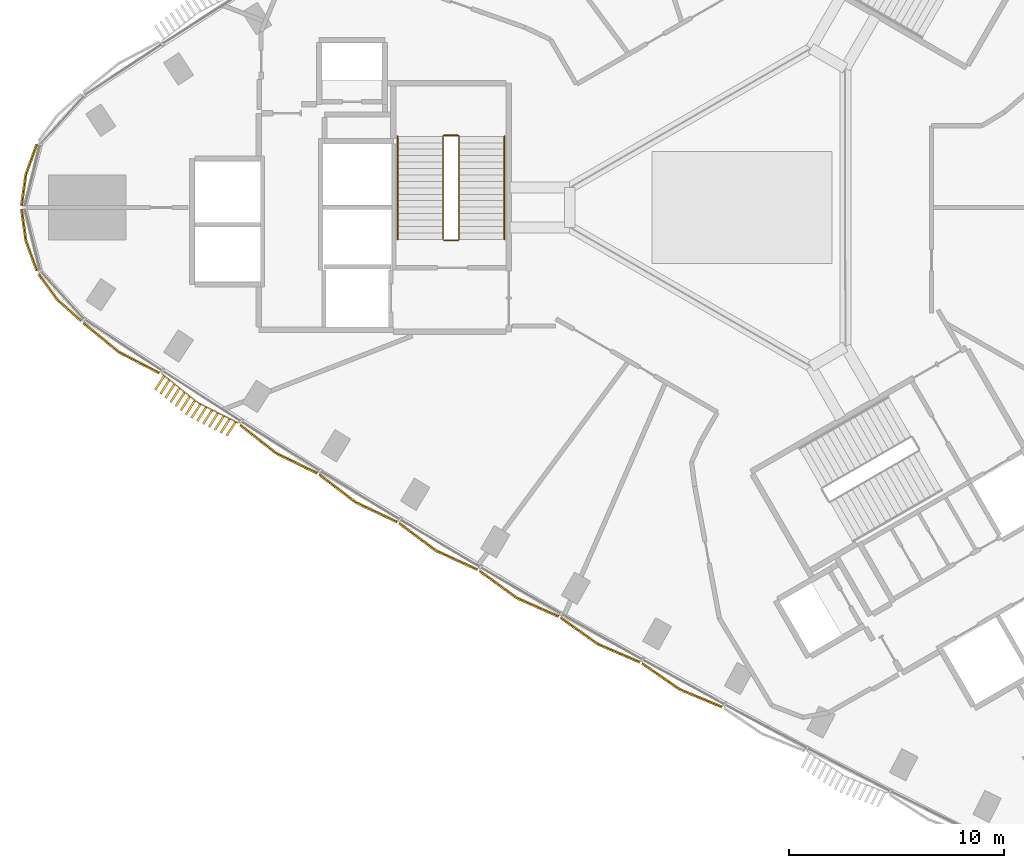
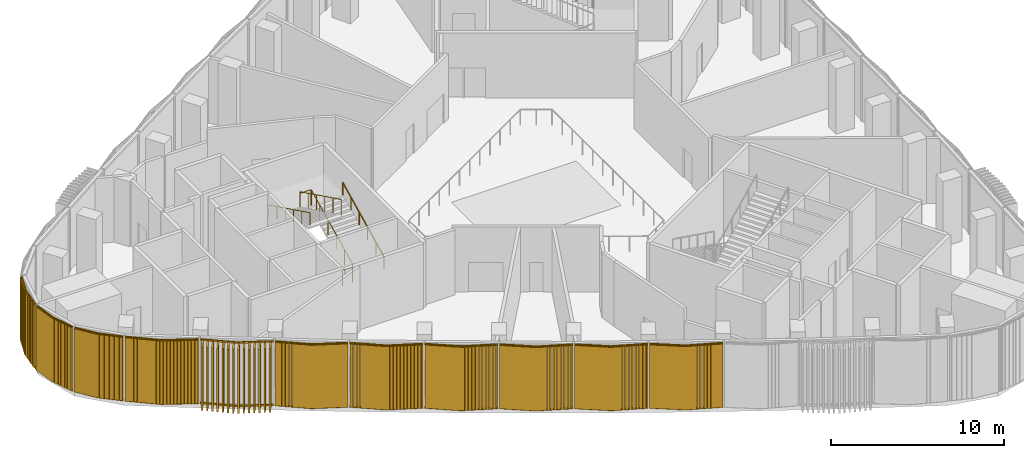
# One storey, part 12 of 17: 11 coverings, 3 railings.
"""IFC4 building model written with IfcOpenShell, lengths in metres."""

import ifcopenshell
import ifcopenshell.guid

model = None  # the IFC model being written
_history = None  # IfcOwnerHistory: only IFC2X3 demands one
_inside = {}  # id of a spatial element -> (the spatial element, [elements in it])
_under = {}  # id of a project, library or spatial element -> (it, [spatial elements below it])
_declared = {}  # id of a project -> (the project, [libraries it declares])
_typed = {}  # id of a type object -> (the type object, [elements of that type])
_made_of = {}  # id of a material, layer set ... -> (it, [elements and type objects made of it])


def new_model(schema):
    """Start an empty IFC model of exactly this schema.

    Asked for "IFC4X3", IfcOpenShell would pick the latest addendum, in which some entities
    have other attributes; the version numbers below select the first issue.
    IFC2X3 requires an IfcOwnerHistory on every rooted entity: one is made here for all.
    """
    global model, _history
    if schema == "IFC4X3":
        model = ifcopenshell.file(schema_version=(4, 3, 0, 0))
    else:
        model = ifcopenshell.file(schema=schema)
    _inside.clear()
    _under.clear()
    _declared.clear()
    _typed.clear()
    _made_of.clear()
    _history = None
    if model.schema == "IFC2X3":
        org = make("IfcOrganization", Name="unknown")
        user = make(
            "IfcPersonAndOrganization",
            ThePerson=make("IfcPerson", FamilyName="unknown"),
            TheOrganization=org,
        )
        app = make(
            "IfcApplication",
            ApplicationDeveloper=org,
            Version="unknown",
            ApplicationFullName="unknown",
            ApplicationIdentifier="unknown",
        )
        _history = make(
            "IfcOwnerHistory",
            OwningUser=user,
            OwningApplication=app,
            ChangeAction="ADDED",
            CreationDate=0,
        )
    return model


def make(cls, **values):
    """One entity of the class cls with the attributes given. An attribute that is None is left unset."""
    return model.create_entity(
        cls, **{name: value for name, value in values.items() if value is not None}
    )


def rooted(cls, **values):
    """An entity with a GlobalId (a new one), such as an element, a storey or a relation."""
    return make(cls, GlobalId=ifcopenshell.guid.new(), OwnerHistory=_history, **values)


def si_unit(unit_type, name, prefix=None):
    """IfcSIUnit, for example si_unit("LENGTHUNIT", "METRE", prefix="MILLI")."""
    return make("IfcSIUnit", UnitType=unit_type, Prefix=prefix, Name=name)


def assignment(units):
    """IfcUnitAssignment: the units of a project."""
    return None if units is None else make("IfcUnitAssignment", Units=units)


def point(xyz):
    """IfcCartesianPoint."""
    return None if xyz is None else make("IfcCartesianPoint", Coordinates=xyz)


def direction(xyz):
    """IfcDirection."""
    return None if xyz is None else make("IfcDirection", DirectionRatios=xyz)


def frame(location, z_axis=None, x_axis=None):
    """IfcAxis2Placement3D, a coordinate frame: its origin and axes. An axis left out is left unset."""
    return make(
        "IfcAxis2Placement3D",
        Location=point(location),
        Axis=direction(z_axis),
        RefDirection=direction(x_axis),
    )


def frame_2d(location, x_axis=None):
    """IfcAxis2Placement2D, a coordinate frame in the plane: its origin and x axis."""
    return make(
        "IfcAxis2Placement2D", Location=point(location), RefDirection=direction(x_axis)
    )


def origin():
    """The frame at (0, 0, 0) with its axes left unset."""
    return frame((0.0, 0.0, 0.0))


def origin_2d():
    """The frame at (0, 0) in the plane with its x axis left unset."""
    return frame_2d((0.0, 0.0))


def place(relative_to, where):
    """IfcLocalPlacement: puts the frame where relative to a parent placement (None: the world)."""
    return make(
        "IfcLocalPlacement", PlacementRelTo=relative_to, RelativePlacement=where
    )


def context(
    kind, dimensions, precision=None, world=None, true_north=None, identifier=None
):
    """IfcGeometricRepresentationContext, for example the 3D "Model" context."""
    return make(
        "IfcGeometricRepresentationContext",
        ContextIdentifier=identifier,
        ContextType=kind,
        CoordinateSpaceDimension=dimensions,
        Precision=precision,
        WorldCoordinateSystem=world,
        TrueNorth=true_north,
    )


def subcontext(parent, identifier, kind, view, scale=None):
    """IfcGeometricRepresentationSubContext, for example "Body" below "Model"."""
    return make(
        "IfcGeometricRepresentationSubContext",
        ContextIdentifier=identifier,
        ContextType=kind,
        ParentContext=parent,
        TargetScale=scale,
        TargetView=view,
    )


def project(units=None, contexts=None):
    """IfcProject with its units and contexts."""
    return rooted(
        "IfcProject",
        Name="project",
        RepresentationContexts=contexts,
        UnitsInContext=assignment(units),
    )


def spatial(cls, under=None, at=None, **own):
    """A site, building, storey or space (cls), placed at a placement, below another one or the project."""
    s = rooted(cls, ObjectPlacement=at, **own)
    if under is not None:
        _under.setdefault(under.id(), (under, []))[1].append(s)
    return s


def profile(cls, at=None, kind="AREA", **sizes):
    """A parametric profile (cls). Its sizes go by their IFC names, for example OverallWidth=200.0."""
    return make(cls, ProfileType=kind, Position=at, **sizes)


def rectangle(**sizes):
    """IfcRectangleProfileDef."""
    return profile("IfcRectangleProfileDef", **sizes)


def circle(**sizes):
    """IfcCircleProfileDef."""
    return profile("IfcCircleProfileDef", **sizes)


def extrude(swept, where, along, depth):
    """IfcExtrudedAreaSolid: the profile swept, set in the frame where, extruded along a direction by depth."""
    return make(
        "IfcExtrudedAreaSolid",
        SweptArea=swept,
        Position=where,
        ExtrudedDirection=direction(along),
        Depth=depth,
    )


def shape(context_of_items, identifier, shape_type, items):
    """IfcShapeRepresentation: the items that make up one representation, for example the "Body"."""
    return make(
        "IfcShapeRepresentation",
        ContextOfItems=context_of_items,
        RepresentationIdentifier=identifier,
        RepresentationType=shape_type,
        Items=items,
    )


def source(mapping_origin, context_of_items, identifier, shape_type, items):
    """IfcRepresentationMap: a shape defined once, which mapped items show again and again."""
    return make(
        "IfcRepresentationMap",
        MappingOrigin=mapping_origin,
        MappedRepresentation=shape(context_of_items, identifier, shape_type, items),
    )


def transform(
    local_origin,
    x_axis=None,
    y_axis=None,
    z_axis=None,
    scale=None,
    scale2=None,
    scale3=None,
    uniform=True,
):
    """IfcCartesianTransformationOperator3D, or its non-uniform kind. x_axis, y_axis, z_axis: its Axis1, 2, 3."""
    if uniform:
        return make(
            "IfcCartesianTransformationOperator3D",
            Axis1=direction(x_axis),
            Axis2=direction(y_axis),
            LocalOrigin=point(local_origin),
            Scale=scale,
            Axis3=direction(z_axis),
        )
    return make(
        "IfcCartesianTransformationOperator3DnonUniform",
        Axis1=direction(x_axis),
        Axis2=direction(y_axis),
        LocalOrigin=point(local_origin),
        Scale=scale,
        Axis3=direction(z_axis),
        Scale2=scale2,
        Scale3=scale3,
    )


def mapped(mapping_source, mapping_target):
    """IfcMappedItem: shows the shape of a source again, moved by a transform."""
    return make(
        "IfcMappedItem", MappingSource=mapping_source, MappingTarget=mapping_target
    )


def material(Name=None, Category=None):
    """IfcMaterial."""
    return make("IfcMaterial", Name=Name, Category=Category)


def made_of(thing, what):
    """Note that an element or type object is made of a material, layer set ...; save() writes the relation."""
    if what is not None:
        _made_of.setdefault(what.id(), (what, []))[1].append(thing)
    return thing


def type_object(cls, material=None, **own):
    """A type object (cls), such as IfcWallType, which elements share."""
    return made_of(rooted(cls, **own), material)


def element(
    cls,
    number,
    at=None,
    inside=None,
    cuts=None,
    type_object=None,
    material=None,
    context=None,
    identifier="Body",
    shape_type=None,
    held_by="IfcProductDefinitionShape",
    body=None,
    shapes=None,
    **own,
):
    """One element of the class cls, such as IfcWall. Its Tag is "e" and its number.

    at: its placement. inside: the storey or other place that contains it. cuts: it is an
    opening in that element (IfcRelVoidsElement). A single representation is given by context,
    identifier, shape_type and body (its items); several are given by shapes. held_by: the class
    of the entity that holds the representations. save() writes the other relations.
    """
    e = rooted(cls, Tag="e%d" % number, ObjectPlacement=at, **own)
    if body is not None:
        shapes = [shape(context, identifier, shape_type, body)]
    if shapes is not None:
        e.Representation = make(held_by, Representations=shapes)
    if inside is not None:
        _inside.setdefault(inside.id(), (inside, []))[1].append(e)
    if cuts is not None:
        rooted(
            "IfcRelVoidsElement", RelatingBuildingElement=cuts, RelatedOpeningElement=e
        )
    if type_object is not None:
        _typed.setdefault(type_object.id(), (type_object, []))[1].append(e)
    return made_of(e, material)


def aggregate(whole, parts):
    """IfcRelAggregates: a whole, such as a stair, and the parts it consists of."""
    return rooted("IfcRelAggregates", RelatingObject=whole, RelatedObjects=parts)


def save(model, path):
    """Write the relations noted so far, then the file.

    IfcRelAggregates (storeys below a building ...), IfcRelContainedInSpatialStructure (elements
    in a storey), IfcRelDefinesByType, IfcRelAssociatesMaterial and IfcRelDeclares: one each for
    every whole, place, type object, material and project.
    """
    for whole, parts in _under.values():
        aggregate(whole, parts)
    for where, things in _inside.values():
        rooted(
            "IfcRelContainedInSpatialStructure",
            RelatedElements=things,
            RelatingStructure=where,
        )
    for kind, things in _typed.values():
        rooted("IfcRelDefinesByType", RelatedObjects=things, RelatingType=kind)
    for what, things in _made_of.values():
        rooted("IfcRelAssociatesMaterial", RelatedObjects=things, RelatingMaterial=what)
    for by, libraries in _declared.values():
        rooted("IfcRelDeclares", RelatingContext=by, RelatedDefinitions=libraries)
    model.write(path)


model = new_model("IFC4")

# Units and contexts
model_context = context("Model", 3, precision=1e-05, world=origin(), true_north=direction((0.0, 1.0)))
body_context = subcontext(model_context, "Body", "Model", "MODEL_VIEW")
ifc_project = project(units=[si_unit("LENGTHUNIT", "METRE"), si_unit("AREAUNIT", "SQUARE_METRE"), si_unit("VOLUMEUNIT", "CUBIC_METRE"), si_unit("PLANEANGLEUNIT", "RADIAN"), si_unit("MASSUNIT", "GRAM", prefix="KILO")], contexts=[model_context])

# Site, building, storey
site_placement = place(None, origin())
site = spatial("IfcSite", under=ifc_project, at=site_placement, CompositionType="ELEMENT")
building_placement = place(site_placement, origin())
building = spatial("IfcBuilding", under=site, at=building_placement, Name="Tamra Quay Hotel Tower", CompositionType="ELEMENT")
storey_placement = place(building_placement, frame((0.0, 0.0, 123.800048828125)))
storey = spatial("IfcBuildingStorey", under=building, at=storey_placement, Name="L30", CompositionType="ELEMENT", Elevation=123.800048828125)

# Railings
ifc_material_1 = material(Name="Stair guard 1100")
railing_type_1 = type_object("IfcRailingType", Name="Stair guard 1100", PredefinedType="GUARDRAIL", material=ifc_material_1)
railing_1_placement = place(storey_placement, frame((-13.84130859375, -1.530029296875, 0.0)))
element("IfcRailing", 1, at=railing_1_placement, inside=storey, type_object=railing_type_1, Name="GR", PredefinedType="GUARDRAIL", context=body_context, shape_type="SweptSolid", body=[
    extrude(circle(Radius=0.02392578125, at=origin_2d()), frame((0.0, 0.0, 1.076171875), z_axis=(1.0, 0.0, 0.0), x_axis=(0.0, 1.0, 0.0)), (0.0, 0.0, 1.0), 0.658935546875),
    extrude(circle(Radius=0.02392578125, at=origin_2d()), frame((0.658935546875, 0.0, 1.076171875), z_axis=(0.306807167972, 0.306807167972, 0.900965439605), x_axis=(-0.707106781187, 0.707106781187, 0.0)), (0.0, 0.0, 1.0), 0.1630859375),
    extrude(circle(Radius=0.02392578125, at=origin_2d()), frame((0.708984375, 0.050048828125, 1.22314453125), z_axis=(0.0, 0.897329748911, 0.441360761419), x_axis=(-1.0, 0.0, 0.0)), (0.0, 0.0, 1.0), 5.331298828125),
    extrude(circle(Radius=0.02392578125, at=origin_2d()), frame((0.708984375, 4.833984375, 3.576171875), z_axis=(-0.707106781187, 0.707106781187, 0.0), x_axis=(-0.707106781187, -0.707106781187, 0.0)), (0.0, 0.0, 1.0), 0.07080078125),
    extrude(circle(Radius=0.02392578125, at=origin_2d()), frame((0.658935546875, 4.884033203125, 3.576171875), z_axis=(-1.0, 0.0, 0.0), x_axis=(0.0, -1.0, 0.0)), (0.0, 0.0, 1.0), 0.658935546875),
    extrude(circle(Radius=0.02392578125, at=origin_2d()), frame((0.0, 4.884033203125, 3.576171875), z_axis=(-0.306807167972, -0.306807167972, 0.900965439605), x_axis=(0.707106781187, -0.707106781187, 0.0)), (0.0, 0.0, 1.0), 0.1630859375),
    extrude(circle(Radius=0.02392578125, at=origin_2d()), frame((-0.050048828125, 4.833984375, 3.72314453125), z_axis=(0.0, -0.897329748911, 0.441360761419), x_axis=(1.0, 0.0, 0.0)), (0.0, 0.0, 1.0), 5.331298828125),
    extrude(circle(Radius=0.02099609375, at=origin_2d()), origin(), (0.0, 0.0, 1.0), 1.052001953125),
    extrude(circle(Radius=0.02099609375, at=origin_2d()), frame((0.658935546875, 0.0, 0.0)), (0.0, 0.0, 1.0), 1.052001953125),
    extrude(circle(Radius=0.02099609375, at=origin_2d()), frame((0.708984375, 0.050048828125, 0.14697265625)), (0.0, 0.0, 1.0), 1.052001953125),
    extrude(circle(Radius=0.02099609375, at=origin_2d()), frame((0.708984375, 1.0068359375, 0.61767578125)), (0.0, 0.0, 1.0), 1.052001953125),
    extrude(circle(Radius=0.02099609375, at=origin_2d()), frame((0.708984375, 1.963623046875, 1.088134765625)), (0.0, 0.0, 1.0), 1.052001953125),
    extrude(circle(Radius=0.02099609375, at=origin_2d()), frame((0.708984375, 2.92041015625, 1.558837890625)), (0.0, 0.0, 1.0), 1.052001953125),
    extrude(circle(Radius=0.02099609375, at=origin_2d()), frame((0.708984375, 3.877197265625, 2.029296875)), (0.0, 0.0, 1.0), 1.052001953125),
    extrude(circle(Radius=0.02099609375, at=origin_2d()), frame((0.708984375, 4.833984375, 2.5)), (0.0, 0.0, 1.0), 1.052001953125),
    extrude(circle(Radius=0.02099609375, at=origin_2d()), frame((0.658935546875, 4.884033203125, 2.5)), (0.0, 0.0, 1.0), 1.052001953125),
    extrude(circle(Radius=0.02099609375, at=origin_2d()), frame((0.0, 4.884033203125, 2.5)), (0.0, 0.0, 1.0), 1.052001953125),
    extrude(circle(Radius=0.02099609375, at=origin_2d()), frame((-0.050048828125, 4.833984375, 2.64697265625)), (0.0, 0.0, 1.0), 1.052001953125),
    extrude(circle(Radius=0.02099609375, at=origin_2d()), frame((-0.050048828125, 3.877197265625, 3.11767578125)), (0.0, 0.0, 1.0), 1.052001953125),
    extrude(circle(Radius=0.02099609375, at=origin_2d()), frame((-0.050048828125, 2.92041015625, 3.588134765625)), (0.0, 0.0, 1.0), 1.052001953125),
    extrude(circle(Radius=0.02099609375, at=origin_2d()), frame((-0.050048828125, 1.963623046875, 4.058837890625)), (0.0, 0.0, 1.0), 1.052001953125),
    extrude(circle(Radius=0.02099609375, at=origin_2d()), frame((-0.050048828125, 1.0068359375, 4.529296875)), (0.0, 0.0, 1.0), 1.052001953125),
    extrude(circle(Radius=0.02099609375, at=origin_2d()), frame((-0.050048828125, 0.050048828125, 5.0)), (0.0, 0.0, 1.0), 1.052001953125),
])
ifc_material_2 = material(Name="Stair handrail 900")
railing_type_2 = type_object("IfcRailingType", Name="Stair handrail 900", PredefinedType="HANDRAIL", material=ifc_material_2)
railing_2_placement = place(storey_placement, frame((-11.0322265625, -1.47998046875, 0.14697265625)))
element("IfcRailing", 2, at=railing_2_placement, inside=storey, type_object=railing_type_2, Name="HR", PredefinedType="HANDRAIL", context=body_context, shape_type="SweptSolid", body=[
    extrude(circle(Radius=0.02392578125, at=origin_2d()), frame((0.0, 0.0, 0.8759765625), z_axis=(0.0, 0.897329748911, 0.441360761419), x_axis=(-1.0, 0.0, 0.0)), (0.0, 0.0, 1.0), 5.331298828125),
    extrude(circle(Radius=0.02099609375, at=origin_2d()), origin(), (0.0, 0.0, 1.0), 0.851806640625),
    extrude(circle(Radius=0.02099609375, at=origin_2d()), frame((0.0, 0.956787109375, 0.470703125)), (0.0, 0.0, 1.0), 0.851806640625),
    extrude(circle(Radius=0.02099609375, at=origin_2d()), frame((0.0, 1.91357421875, 0.941162109375)), (0.0, 0.0, 1.0), 0.851806640625),
    extrude(circle(Radius=0.02099609375, at=origin_2d()), frame((0.0, 2.870361328125, 1.411865234375)), (0.0, 0.0, 1.0), 0.851806640625),
    extrude(circle(Radius=0.02099609375, at=origin_2d()), frame((0.0, 3.8271484375, 1.88232421875)), (0.0, 0.0, 1.0), 0.851806640625),
    extrude(circle(Radius=0.02099609375, at=origin_2d()), frame((0.0, 4.783935546875, 2.35302734375)), (0.0, 0.0, 1.0), 0.851806640625),
])
railing_3_placement = place(storey_placement, frame((-15.9912109375, 3.303955078125, 2.64697265625)))
element("IfcRailing", 3, at=railing_3_placement, inside=storey, type_object=railing_type_2, Name="HR", PredefinedType="HANDRAIL", context=body_context, shape_type="SweptSolid", body=[
    extrude(circle(Radius=0.02392578125, at=origin_2d()), frame((0.0, 0.0, 0.8759765625), z_axis=(0.0, -0.897329748911, 0.441360761419), x_axis=(1.0, 0.0, 0.0)), (0.0, 0.0, 1.0), 5.331298828125),
    extrude(circle(Radius=0.02099609375, at=origin_2d()), origin(), (0.0, 0.0, 1.0), 0.851806640625),
    extrude(circle(Radius=0.02099609375, at=origin_2d()), frame((0.0, -0.956787109375, 0.470703125)), (0.0, 0.0, 1.0), 0.851806640625),
    extrude(circle(Radius=0.02099609375, at=origin_2d()), frame((0.0, -1.91357421875, 0.941162109375)), (0.0, 0.0, 1.0), 0.851806640625),
    extrude(circle(Radius=0.02099609375, at=origin_2d()), frame((0.0, -2.870361328125, 1.411865234375)), (0.0, 0.0, 1.0), 0.851806640625),
    extrude(circle(Radius=0.02099609375, at=origin_2d()), frame((0.0, -3.8271484375, 1.88232421875)), (0.0, 0.0, 1.0), 0.851806640625),
    extrude(circle(Radius=0.02099609375, at=origin_2d()), frame((0.0, -4.783935546875, 2.35302734375)), (0.0, 0.0, 1.0), 0.851806640625),
])

# Coverings
ifc_material_3 = material(Name="Terracotta baguette extruded", Category="masonry")
covering_type_1 = type_object("IfcCoveringType", Name="BAGUETTE SCREEN CORNER-SHALLOW H4600", PredefinedType="USERDEFINED", material=ifc_material_3)
shared_shape_1 = source(origin(), body_context, "Body", "SweptSolid", [
    extrude(rectangle(XDim=1.480712890625, YDim=0.06005859375, at=frame_2d((0.740234375, 0.030029296875))), frame((-1.478759765625, -0.0576171875, -0.1201171875), z_axis=(0.0, 0.0, 1.0), x_axis=(0.994521895368, -0.104528463268, 0.0)), (0.0, 0.0, 1.0), 0.1201171875),
    extrude(rectangle(XDim=1.480712890625, YDim=0.06005859375, at=frame_2d((0.740234375, 0.030029296875))), frame((-1.478759765625, -0.0576171875, -4.60009765625), z_axis=(0.0, 0.0, 1.0), x_axis=(0.994521895368, -0.104528463268, 0.0)), (0.0, 0.0, 1.0), 0.1201171875),
    extrude(rectangle(XDim=0.094970703125, YDim=0.10009765625, at=frame_2d((0.04736328125, 0.050048828125))), frame((-1.470947265625, -0.133056640625, -4.5400390625)), (0.0, 0.0, 1.0), 4.47998046875),
    extrude(rectangle(XDim=0.094970703125, YDim=0.10009765625, at=frame_2d((0.04736328125, 0.050048828125))), frame((-1.372802734375, -0.1435546875, -4.5400390625)), (0.0, 0.0, 1.0), 4.47998046875),
    extrude(rectangle(XDim=0.094970703125, YDim=0.10009765625, at=frame_2d((0.04736328125, 0.050048828125))), frame((-1.274658203125, -0.15380859375, -4.5400390625)), (0.0, 0.0, 1.0), 4.47998046875),
    extrude(rectangle(XDim=0.094970703125, YDim=0.10009765625, at=frame_2d((0.04736328125, 0.050048828125))), frame((-1.176513671875, -0.1640625, -4.5400390625)), (0.0, 0.0, 1.0), 4.47998046875),
    extrude(rectangle(XDim=0.094970703125, YDim=0.10009765625, at=frame_2d((0.04736328125, 0.050048828125))), frame((-1.078369140625, -0.17431640625, -4.5400390625)), (0.0, 0.0, 1.0), 4.47998046875),
    extrude(rectangle(XDim=0.094970703125, YDim=0.10009765625, at=frame_2d((0.04736328125, 0.050048828125))), frame((-0.97998046875, -0.184814453125, -4.5400390625)), (0.0, 0.0, 1.0), 4.47998046875),
    extrude(rectangle(XDim=0.094970703125, YDim=0.10009765625, at=frame_2d((0.04736328125, 0.050048828125))), frame((-0.8818359375, -0.195068359375, -4.5400390625)), (0.0, 0.0, 1.0), 4.47998046875),
    extrude(rectangle(XDim=0.094970703125, YDim=0.10009765625, at=frame_2d((0.04736328125, 0.050048828125))), frame((-0.78369140625, -0.205322265625, -4.5400390625)), (0.0, 0.0, 1.0), 4.47998046875),
    extrude(rectangle(XDim=0.094970703125, YDim=0.10009765625, at=frame_2d((0.04736328125, 0.050048828125))), frame((-0.685546875, -0.2158203125, -4.5400390625)), (0.0, 0.0, 1.0), 4.47998046875),
    extrude(rectangle(XDim=0.094970703125, YDim=0.10009765625, at=frame_2d((0.04736328125, 0.050048828125))), frame((-0.58740234375, -0.22607421875, -4.5400390625)), (0.0, 0.0, 1.0), 4.47998046875),
    extrude(rectangle(XDim=0.094970703125, YDim=0.10009765625, at=frame_2d((0.04736328125, 0.050048828125))), frame((-0.4892578125, -0.236328125, -4.5400390625)), (0.0, 0.0, 1.0), 4.47998046875),
    extrude(rectangle(XDim=0.094970703125, YDim=0.10009765625, at=frame_2d((0.04736328125, 0.050048828125))), frame((-0.39111328125, -0.24658203125, -4.5400390625)), (0.0, 0.0, 1.0), 4.47998046875),
    extrude(rectangle(XDim=0.094970703125, YDim=0.10009765625, at=frame_2d((0.04736328125, 0.050048828125))), frame((-0.29296875, -0.257080078125, -4.5400390625)), (0.0, 0.0, 1.0), 4.47998046875),
    extrude(rectangle(XDim=0.094970703125, YDim=0.10009765625, at=frame_2d((0.04736328125, 0.050048828125))), frame((-0.19482421875, -0.267333984375, -4.5400390625)), (0.0, 0.0, 1.0), 4.47998046875),
    extrude(rectangle(XDim=0.094970703125, YDim=0.10009765625, at=frame_2d((0.04736328125, 0.050048828125))), frame((-0.0966796875, -0.277587890625, -4.5400390625)), (0.0, 0.0, 1.0), 4.47998046875),
    extrude(rectangle(XDim=1.480712890625, YDim=0.06005859375, at=frame_2d((0.740234375, 0.030029296875))), frame((0.00634765625, -0.21240234375, -0.1201171875), z_axis=(0.0, 0.0, 1.0), x_axis=(0.994521895368, 0.104528463268, 0.0)), (0.0, 0.0, 1.0), 0.1201171875),
    extrude(rectangle(XDim=1.480712890625, YDim=0.06005859375, at=frame_2d((0.740234375, 0.030029296875))), frame((0.00634765625, -0.21240234375, -4.60009765625), z_axis=(0.0, 0.0, 1.0), x_axis=(0.994521895368, 0.104528463268, 0.0)), (0.0, 0.0, 1.0), 0.1201171875),
    extrude(rectangle(XDim=0.094970703125, YDim=0.10009765625, at=frame_2d((0.04736328125, 0.050048828125))), frame((0.00146484375, -0.277587890625, -4.5400390625)), (0.0, 0.0, 1.0), 4.47998046875),
    extrude(rectangle(XDim=0.094970703125, YDim=0.10009765625, at=frame_2d((0.04736328125, 0.050048828125))), frame((0.099853515625, -0.267333984375, -4.5400390625)), (0.0, 0.0, 1.0), 4.47998046875),
    extrude(rectangle(XDim=0.094970703125, YDim=0.10009765625, at=frame_2d((0.04736328125, 0.050048828125))), frame((0.197998046875, -0.257080078125, -4.5400390625)), (0.0, 0.0, 1.0), 4.47998046875),
    extrude(rectangle(XDim=0.094970703125, YDim=0.10009765625, at=frame_2d((0.04736328125, 0.050048828125))), frame((0.296142578125, -0.24658203125, -4.5400390625)), (0.0, 0.0, 1.0), 4.47998046875),
    extrude(rectangle(XDim=0.094970703125, YDim=0.10009765625, at=frame_2d((0.04736328125, 0.050048828125))), frame((0.394287109375, -0.236328125, -4.5400390625)), (0.0, 0.0, 1.0), 4.47998046875),
    extrude(rectangle(XDim=0.094970703125, YDim=0.10009765625, at=frame_2d((0.04736328125, 0.050048828125))), frame((0.492431640625, -0.22607421875, -4.5400390625)), (0.0, 0.0, 1.0), 4.47998046875),
    extrude(rectangle(XDim=0.094970703125, YDim=0.10009765625, at=frame_2d((0.04736328125, 0.050048828125))), frame((0.590576171875, -0.2158203125, -4.5400390625)), (0.0, 0.0, 1.0), 4.47998046875),
    extrude(rectangle(XDim=0.094970703125, YDim=0.10009765625, at=frame_2d((0.04736328125, 0.050048828125))), frame((0.688720703125, -0.205322265625, -4.5400390625)), (0.0, 0.0, 1.0), 4.47998046875),
    extrude(rectangle(XDim=0.094970703125, YDim=0.10009765625, at=frame_2d((0.04736328125, 0.050048828125))), frame((0.786865234375, -0.195068359375, -4.5400390625)), (0.0, 0.0, 1.0), 4.47998046875),
    extrude(rectangle(XDim=0.094970703125, YDim=0.10009765625, at=frame_2d((0.04736328125, 0.050048828125))), frame((0.885009765625, -0.184814453125, -4.5400390625)), (0.0, 0.0, 1.0), 4.47998046875),
    extrude(rectangle(XDim=0.094970703125, YDim=0.10009765625, at=frame_2d((0.04736328125, 0.050048828125))), frame((0.983154296875, -0.17431640625, -4.5400390625)), (0.0, 0.0, 1.0), 4.47998046875),
    extrude(rectangle(XDim=0.094970703125, YDim=0.10009765625, at=frame_2d((0.04736328125, 0.050048828125))), frame((1.081298828125, -0.1640625, -4.5400390625)), (0.0, 0.0, 1.0), 4.47998046875),
    extrude(rectangle(XDim=0.094970703125, YDim=0.10009765625, at=frame_2d((0.04736328125, 0.050048828125))), frame((1.1796875, -0.15380859375, -4.5400390625)), (0.0, 0.0, 1.0), 4.47998046875),
    extrude(rectangle(XDim=0.094970703125, YDim=0.10009765625, at=frame_2d((0.04736328125, 0.050048828125))), frame((1.27783203125, -0.1435546875, -4.5400390625)), (0.0, 0.0, 1.0), 4.47998046875),
    extrude(rectangle(XDim=0.094970703125, YDim=0.10009765625, at=frame_2d((0.04736328125, 0.050048828125))), frame((1.3759765625, -0.133056640625, -4.5400390625)), (0.0, 0.0, 1.0), 4.47998046875),
])
for number, where, z_axis, x_axis, name in (
    (4, (-33.040283203125, 1.496826171875, 4.599853515625), (0.0, 0.0, 1.0), (-0.242976186667, -0.970032253439, 0.0), "Baguette screen L30.NW.c12"),
    (5, (-33.040283203125, -1.496826171875, 4.599853515625), (0.0, 0.0, 1.0), (0.242976186667, -0.970032253439, 0.0), "Baguette screen L30.NW.c13"),
    (6, (-31.629150390625, -4.13720703125, 4.599853515625), (0.0, 0.0, 1.0), (0.671549804177, -0.740959418936, 0.0), "Baguette screen L30.NW.c14"),
):
    element("IfcCovering", number, at=place(storey_placement, frame(where, z_axis=z_axis, x_axis=x_axis)), inside=storey, type_object=covering_type_1, Name=name, ObjectType="BAGUETTE SCREEN", PredefinedType="USERDEFINED", context=body_context, shape_type="MappedRepresentation", body=[
        mapped(shared_shape_1, transform((0.0, 0.0, 0.0), scale=1.0)),
    ])
covering_type_2 = type_object("IfcCoveringType", Name="BAGUETTE SCREEN SW-SHALLOW H4600", PredefinedType="USERDEFINED", material=ifc_material_3)
shared_shape_2 = source(origin(), body_context, "Body", "SweptSolid", [
    extrude(rectangle(XDim=2.13427734375, YDim=0.06005859375, at=frame_2d((1.067138671875, 0.030029296875))), frame((-2.128662109375, -0.0576171875, -0.1201171875), z_axis=(0.0, 0.0, 1.0), x_axis=(0.994521895368, -0.104528463268, 0.0)), (0.0, 0.0, 1.0), 0.1201171875),
    extrude(rectangle(XDim=2.13427734375, YDim=0.06005859375, at=frame_2d((1.067138671875, 0.030029296875))), frame((-2.128662109375, -0.0576171875, -4.60009765625), z_axis=(0.0, 0.0, 1.0), x_axis=(0.994521895368, -0.104528463268, 0.0)), (0.0, 0.0, 1.0), 0.1201171875),
    extrude(rectangle(XDim=0.094970703125, YDim=0.10009765625, at=frame_2d((0.04736328125, 0.050048828125))), frame((-2.119384765625, -0.13330078125, -4.5400390625)), (0.0, 0.0, 1.0), 4.47998046875),
    extrude(rectangle(XDim=0.094970703125, YDim=0.10009765625, at=frame_2d((0.04736328125, 0.050048828125))), frame((-2.018310546875, -0.14404296875, -4.5400390625)), (0.0, 0.0, 1.0), 4.47998046875),
    extrude(rectangle(XDim=0.094970703125, YDim=0.10009765625, at=frame_2d((0.04736328125, 0.050048828125))), frame((-1.917236328125, -0.154541015625, -4.5400390625)), (0.0, 0.0, 1.0), 4.47998046875),
    extrude(rectangle(XDim=0.094970703125, YDim=0.10009765625, at=frame_2d((0.04736328125, 0.050048828125))), frame((-1.816162109375, -0.165283203125, -4.5400390625)), (0.0, 0.0, 1.0), 4.47998046875),
    extrude(rectangle(XDim=0.094970703125, YDim=0.10009765625, at=frame_2d((0.04736328125, 0.050048828125))), frame((-1.715087890625, -0.17578125, -4.5400390625)), (0.0, 0.0, 1.0), 4.47998046875),
    extrude(rectangle(XDim=0.094970703125, YDim=0.10009765625, at=frame_2d((0.04736328125, 0.050048828125))), frame((-1.614013671875, -0.1865234375, -4.5400390625)), (0.0, 0.0, 1.0), 4.47998046875),
    extrude(rectangle(XDim=0.094970703125, YDim=0.10009765625, at=frame_2d((0.04736328125, 0.050048828125))), frame((-1.512939453125, -0.197021484375, -4.5400390625)), (0.0, 0.0, 1.0), 4.47998046875),
    extrude(rectangle(XDim=0.094970703125, YDim=0.10009765625, at=frame_2d((0.04736328125, 0.050048828125))), frame((-1.411865234375, -0.207763671875, -4.5400390625)), (0.0, 0.0, 1.0), 4.47998046875),
    extrude(rectangle(XDim=0.094970703125, YDim=0.10009765625, at=frame_2d((0.04736328125, 0.050048828125))), frame((-1.310791015625, -0.21826171875, -4.5400390625)), (0.0, 0.0, 1.0), 4.47998046875),
    extrude(rectangle(XDim=0.094970703125, YDim=0.10009765625, at=frame_2d((0.04736328125, 0.050048828125))), frame((-1.209716796875, -0.22900390625, -4.5400390625)), (0.0, 0.0, 1.0), 4.47998046875),
    extrude(rectangle(XDim=0.094970703125, YDim=0.10009765625, at=frame_2d((0.04736328125, 0.050048828125))), frame((-1.108642578125, -0.239501953125, -4.5400390625)), (0.0, 0.0, 1.0), 4.47998046875),
    extrude(rectangle(XDim=0.094970703125, YDim=0.10009765625, at=frame_2d((0.04736328125, 0.050048828125))), frame((-1.007568359375, -0.250244140625, -4.5400390625)), (0.0, 0.0, 1.0), 4.47998046875),
    extrude(rectangle(XDim=0.094970703125, YDim=0.10009765625, at=frame_2d((0.04736328125, 0.050048828125))), frame((-0.906494140625, -0.2607421875, -4.5400390625)), (0.0, 0.0, 1.0), 4.47998046875),
    extrude(rectangle(XDim=0.094970703125, YDim=0.10009765625, at=frame_2d((0.04736328125, 0.050048828125))), frame((-0.805419921875, -0.271484375, -4.5400390625)), (0.0, 0.0, 1.0), 4.47998046875),
    extrude(rectangle(XDim=0.094970703125, YDim=0.10009765625, at=frame_2d((0.04736328125, 0.050048828125))), frame((-0.704345703125, -0.281982421875, -4.5400390625)), (0.0, 0.0, 1.0), 4.47998046875),
    extrude(rectangle(XDim=0.094970703125, YDim=0.10009765625, at=frame_2d((0.04736328125, 0.050048828125))), frame((-0.603271484375, -0.292724609375, -4.5400390625)), (0.0, 0.0, 1.0), 4.47998046875),
    extrude(rectangle(XDim=0.094970703125, YDim=0.10009765625, at=frame_2d((0.04736328125, 0.050048828125))), frame((-0.50244140625, -0.30322265625, -4.5400390625)), (0.0, 0.0, 1.0), 4.47998046875),
    extrude(rectangle(XDim=0.094970703125, YDim=0.10009765625, at=frame_2d((0.04736328125, 0.050048828125))), frame((-0.4013671875, -0.31396484375, -4.5400390625)), (0.0, 0.0, 1.0), 4.47998046875),
    extrude(rectangle(XDim=0.094970703125, YDim=0.10009765625, at=frame_2d((0.04736328125, 0.050048828125))), frame((-0.30029296875, -0.324462890625, -4.5400390625)), (0.0, 0.0, 1.0), 4.47998046875),
    extrude(rectangle(XDim=0.094970703125, YDim=0.10009765625, at=frame_2d((0.04736328125, 0.050048828125))), frame((-0.19921875, -0.335205078125, -4.5400390625)), (0.0, 0.0, 1.0), 4.47998046875),
    extrude(rectangle(XDim=0.094970703125, YDim=0.10009765625, at=frame_2d((0.04736328125, 0.050048828125))), frame((-0.09814453125, -0.345703125, -4.5400390625)), (0.0, 0.0, 1.0), 4.47998046875),
    extrude(rectangle(XDim=2.13427734375, YDim=0.06005859375, at=frame_2d((1.067138671875, 0.030029296875))), frame((0.00634765625, -0.28076171875, -0.1201171875), z_axis=(0.0, 0.0, 1.0), x_axis=(0.994521895368, 0.104528463268, 0.0)), (0.0, 0.0, 1.0), 0.1201171875),
    extrude(rectangle(XDim=2.13427734375, YDim=0.06005859375, at=frame_2d((1.067138671875, 0.030029296875))), frame((0.00634765625, -0.28076171875, -4.60009765625), z_axis=(0.0, 0.0, 1.0), x_axis=(0.994521895368, 0.104528463268, 0.0)), (0.0, 0.0, 1.0), 0.1201171875),
    extrude(rectangle(XDim=0.094970703125, YDim=0.10009765625, at=frame_2d((0.04736328125, 0.050048828125))), frame((0.0029296875, -0.345703125, -4.5400390625)), (0.0, 0.0, 1.0), 4.47998046875),
    extrude(rectangle(XDim=0.094970703125, YDim=0.10009765625, at=frame_2d((0.04736328125, 0.050048828125))), frame((0.10400390625, -0.335205078125, -4.5400390625)), (0.0, 0.0, 1.0), 4.47998046875),
    extrude(rectangle(XDim=0.094970703125, YDim=0.10009765625, at=frame_2d((0.04736328125, 0.050048828125))), frame((0.205078125, -0.324462890625, -4.5400390625)), (0.0, 0.0, 1.0), 4.47998046875),
    extrude(rectangle(XDim=0.094970703125, YDim=0.10009765625, at=frame_2d((0.04736328125, 0.050048828125))), frame((0.30615234375, -0.31396484375, -4.5400390625)), (0.0, 0.0, 1.0), 4.47998046875),
    extrude(rectangle(XDim=0.094970703125, YDim=0.10009765625, at=frame_2d((0.04736328125, 0.050048828125))), frame((0.4072265625, -0.30322265625, -4.5400390625)), (0.0, 0.0, 1.0), 4.47998046875),
    extrude(rectangle(XDim=0.094970703125, YDim=0.10009765625, at=frame_2d((0.04736328125, 0.050048828125))), frame((0.50830078125, -0.292724609375, -4.5400390625)), (0.0, 0.0, 1.0), 4.47998046875),
    extrude(rectangle(XDim=0.094970703125, YDim=0.10009765625, at=frame_2d((0.04736328125, 0.050048828125))), frame((0.609375, -0.281982421875, -4.5400390625)), (0.0, 0.0, 1.0), 4.47998046875),
    extrude(rectangle(XDim=0.094970703125, YDim=0.10009765625, at=frame_2d((0.04736328125, 0.050048828125))), frame((0.71044921875, -0.271484375, -4.5400390625)), (0.0, 0.0, 1.0), 4.47998046875),
    extrude(rectangle(XDim=0.094970703125, YDim=0.10009765625, at=frame_2d((0.04736328125, 0.050048828125))), frame((0.8115234375, -0.2607421875, -4.5400390625)), (0.0, 0.0, 1.0), 4.47998046875),
    extrude(rectangle(XDim=0.094970703125, YDim=0.10009765625, at=frame_2d((0.04736328125, 0.050048828125))), frame((0.91259765625, -0.250244140625, -4.5400390625)), (0.0, 0.0, 1.0), 4.47998046875),
    extrude(rectangle(XDim=0.094970703125, YDim=0.10009765625, at=frame_2d((0.04736328125, 0.050048828125))), frame((1.013671875, -0.239501953125, -4.5400390625)), (0.0, 0.0, 1.0), 4.47998046875),
    extrude(rectangle(XDim=0.094970703125, YDim=0.10009765625, at=frame_2d((0.04736328125, 0.050048828125))), frame((1.11474609375, -0.22900390625, -4.5400390625)), (0.0, 0.0, 1.0), 4.47998046875),
    extrude(rectangle(XDim=0.094970703125, YDim=0.10009765625, at=frame_2d((0.04736328125, 0.050048828125))), frame((1.2158203125, -0.21826171875, -4.5400390625)), (0.0, 0.0, 1.0), 4.47998046875),
    extrude(rectangle(XDim=0.094970703125, YDim=0.10009765625, at=frame_2d((0.04736328125, 0.050048828125))), frame((1.31689453125, -0.207763671875, -4.5400390625)), (0.0, 0.0, 1.0), 4.47998046875),
    extrude(rectangle(XDim=0.094970703125, YDim=0.10009765625, at=frame_2d((0.04736328125, 0.050048828125))), frame((1.41796875, -0.197021484375, -4.5400390625)), (0.0, 0.0, 1.0), 4.47998046875),
    extrude(rectangle(XDim=0.094970703125, YDim=0.10009765625, at=frame_2d((0.04736328125, 0.050048828125))), frame((1.51904296875, -0.1865234375, -4.5400390625)), (0.0, 0.0, 1.0), 4.47998046875),
    extrude(rectangle(XDim=0.094970703125, YDim=0.10009765625, at=frame_2d((0.04736328125, 0.050048828125))), frame((1.6201171875, -0.17578125, -4.5400390625)), (0.0, 0.0, 1.0), 4.47998046875),
    extrude(rectangle(XDim=0.094970703125, YDim=0.10009765625, at=frame_2d((0.04736328125, 0.050048828125))), frame((1.72119140625, -0.165283203125, -4.5400390625)), (0.0, 0.0, 1.0), 4.47998046875),
    extrude(rectangle(XDim=0.094970703125, YDim=0.10009765625, at=frame_2d((0.04736328125, 0.050048828125))), frame((1.822265625, -0.154541015625, -4.5400390625)), (0.0, 0.0, 1.0), 4.47998046875),
    extrude(rectangle(XDim=0.094970703125, YDim=0.10009765625, at=frame_2d((0.04736328125, 0.050048828125))), frame((1.92333984375, -0.14404296875, -4.5400390625)), (0.0, 0.0, 1.0), 4.47998046875),
    extrude(rectangle(XDim=0.094970703125, YDim=0.10009765625, at=frame_2d((0.04736328125, 0.050048828125))), frame((2.0244140625, -0.13330078125, -4.5400390625)), (0.0, 0.0, 1.0), 4.47998046875),
])
for number, where, z_axis, x_axis, name in (
    (7, (-28.77978515625, -6.473388671875, 4.599853515625), (0.0, 0.0, 1.0), (0.83466272563, -0.550761413358, 0.0), "Baguette screen L30.SW.f00"),
    (8, (-21.478759765625, -11.1669921875, 4.599853515625), (0.0, 0.0, 1.0), (0.847546482968, -0.530721168984, 0.0), "Baguette screen L30.SW.f02"),
    (9, (-17.786376953125, -13.448486328125, 4.599853515625), (0.0, 0.0, 1.0), (0.853829956512, -0.520552019843, 0.0), "Baguette screen L30.SW.f03"),
    (10, (-14.0673828125, -15.685546875, 4.599853515625), (0.0, 0.0, 1.0), (0.859984951291, -0.510319393667, 0.0), "Baguette screen L30.SW.f04"),
    (11, (-10.32177734375, -17.8779296875, 4.599853515625), (0.0, 0.0, 1.0), (0.866025403784, -0.5, 0.0), "Baguette screen L30.SW.f05"),
    (12, (-6.55029296875, -20.025634765625, 4.599853515625), (0.0, 0.0, 1.0), (0.871942034605, -0.489609117857, 0.0), "Baguette screen L30.SW.f06"),
    (13, (-2.753662109375, -22.127685546875, 4.599853515625), (0.0, 0.0, 1.0), (0.877726251432, -0.47916242293, 0.0), "Baguette screen L30.SW.f07"),
):
    element("IfcCovering", number, at=place(storey_placement, frame(where, z_axis=z_axis, x_axis=x_axis)), inside=storey, type_object=covering_type_2, Name=name, ObjectType="BAGUETTE SCREEN", PredefinedType="USERDEFINED", context=body_context, shape_type="MappedRepresentation", body=[
        mapped(shared_shape_2, transform((0.0, 0.0, 0.0), scale=1.0)),
    ])
covering_type_3 = type_object("IfcCoveringType", Name="BAGUETTE SCREEN SW-DEEP H4600", PredefinedType="USERDEFINED", material=ifc_material_3)
shared_shape_3 = source(origin(), body_context, "Body", "SweptSolid", [
    extrude(rectangle(XDim=2.13427734375, YDim=0.06005859375, at=frame_2d((1.067138671875, 0.030029296875))), frame((-2.128662109375, -0.0576171875, -0.1201171875), z_axis=(0.0, 0.0, 1.0), x_axis=(0.994521895368, -0.104528463268, 0.0)), (0.0, 0.0, 1.0), 0.1201171875),
    extrude(rectangle(XDim=2.13427734375, YDim=0.06005859375, at=frame_2d((1.067138671875, 0.030029296875))), frame((-2.128662109375, -0.0576171875, -4.60009765625), z_axis=(0.0, 0.0, 1.0), x_axis=(0.994521895368, -0.104528463268, 0.0)), (0.0, 0.0, 1.0), 0.1201171875),
    extrude(rectangle(XDim=0.10009765625, YDim=0.780029296875, at=frame_2d((0.050048828125, 0.39013671875))), frame((-2.02099609375, -0.823974609375, -4.5400390625)), (0.0, 0.0, 1.0), 4.47998046875),
    extrude(rectangle(XDim=0.10009765625, YDim=0.780029296875, at=frame_2d((0.050048828125, 0.39013671875))), frame((-1.7177734375, -0.855712890625, -4.5400390625)), (0.0, 0.0, 1.0), 4.47998046875),
    extrude(rectangle(XDim=0.10009765625, YDim=0.780029296875, at=frame_2d((0.050048828125, 0.39013671875))), frame((-1.41455078125, -0.8876953125, -4.5400390625)), (0.0, 0.0, 1.0), 4.47998046875),
    extrude(rectangle(XDim=0.10009765625, YDim=0.780029296875, at=frame_2d((0.050048828125, 0.39013671875))), frame((-1.111328125, -0.91943359375, -4.5400390625)), (0.0, 0.0, 1.0), 4.47998046875),
    extrude(rectangle(XDim=0.10009765625, YDim=0.780029296875, at=frame_2d((0.050048828125, 0.39013671875))), frame((-0.80810546875, -0.951416015625, -4.5400390625)), (0.0, 0.0, 1.0), 4.47998046875),
    extrude(rectangle(XDim=0.10009765625, YDim=0.780029296875, at=frame_2d((0.050048828125, 0.39013671875))), frame((-0.5048828125, -0.9833984375, -4.5400390625)), (0.0, 0.0, 1.0), 4.47998046875),
    extrude(rectangle(XDim=0.10009765625, YDim=0.780029296875, at=frame_2d((0.050048828125, 0.39013671875))), frame((-0.20166015625, -1.01513671875, -4.5400390625)), (0.0, 0.0, 1.0), 4.47998046875),
    extrude(rectangle(XDim=2.13427734375, YDim=0.06005859375, at=frame_2d((1.067138671875, 0.030029296875))), frame((0.00634765625, -0.28076171875, -0.1201171875), z_axis=(0.0, 0.0, 1.0), x_axis=(0.994521895368, 0.104528463268, 0.0)), (0.0, 0.0, 1.0), 0.1201171875),
    extrude(rectangle(XDim=2.13427734375, YDim=0.06005859375, at=frame_2d((1.067138671875, 0.030029296875))), frame((0.00634765625, -0.28076171875, -4.60009765625), z_axis=(0.0, 0.0, 1.0), x_axis=(0.994521895368, 0.104528463268, 0.0)), (0.0, 0.0, 1.0), 0.1201171875),
    extrude(rectangle(XDim=0.10009765625, YDim=0.780029296875, at=frame_2d((0.050048828125, 0.39013671875))), frame((0.1015625, -1.01513671875, -4.5400390625)), (0.0, 0.0, 1.0), 4.47998046875),
    extrude(rectangle(XDim=0.10009765625, YDim=0.780029296875, at=frame_2d((0.050048828125, 0.39013671875))), frame((0.40478515625, -0.9833984375, -4.5400390625)), (0.0, 0.0, 1.0), 4.47998046875),
    extrude(rectangle(XDim=0.10009765625, YDim=0.780029296875, at=frame_2d((0.050048828125, 0.39013671875))), frame((0.7080078125, -0.951416015625, -4.5400390625)), (0.0, 0.0, 1.0), 4.47998046875),
    extrude(rectangle(XDim=0.10009765625, YDim=0.780029296875, at=frame_2d((0.050048828125, 0.39013671875))), frame((1.01123046875, -0.91943359375, -4.5400390625)), (0.0, 0.0, 1.0), 4.47998046875),
    extrude(rectangle(XDim=0.10009765625, YDim=0.780029296875, at=frame_2d((0.050048828125, 0.39013671875))), frame((1.314453125, -0.8876953125, -4.5400390625)), (0.0, 0.0, 1.0), 4.47998046875),
    extrude(rectangle(XDim=0.10009765625, YDim=0.780029296875, at=frame_2d((0.050048828125, 0.39013671875))), frame((1.61767578125, -0.855712890625, -4.5400390625)), (0.0, 0.0, 1.0), 4.47998046875),
    extrude(rectangle(XDim=0.10009765625, YDim=0.780029296875, at=frame_2d((0.050048828125, 0.39013671875))), frame((1.9208984375, -0.823974609375, -4.5400390625)), (0.0, 0.0, 1.0), 4.47998046875),
])
covering_placement = place(storey_placement, frame((-25.143310546875, -8.841796875, 4.599853515625), z_axis=(0.0, 0.0, 1.0), x_axis=(0.84116417185, -0.540779840596, 0.0)))
element("IfcCovering", 14, at=covering_placement, inside=storey, type_object=covering_type_3, Name="Baguette screen L30.SW.f01", ObjectType="BAGUETTE SCREEN", PredefinedType="USERDEFINED", context=body_context, shape_type="MappedRepresentation", body=[
    mapped(shared_shape_3, transform((0.0, 0.0, 0.0), scale=1.0)),
])

save(model, "model.ifc")
